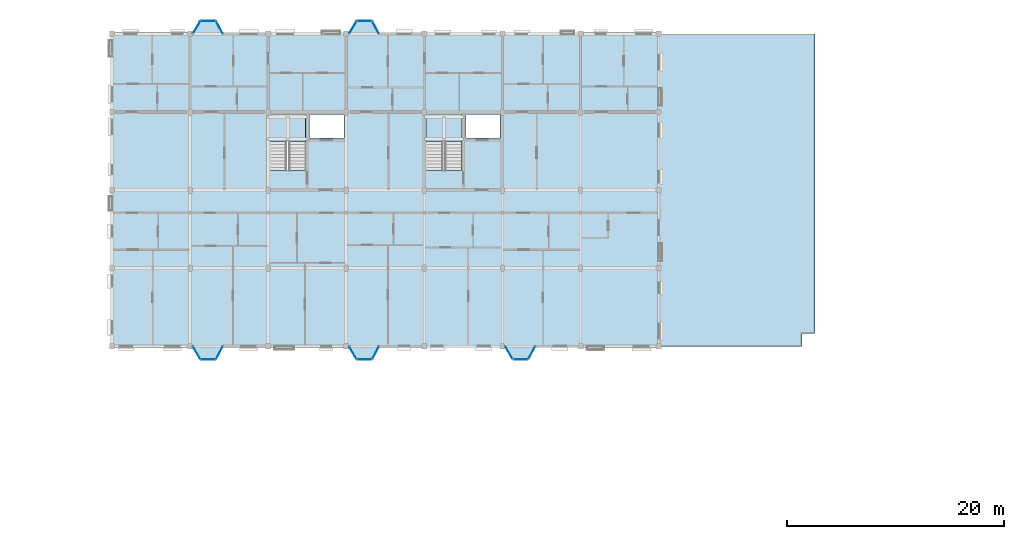
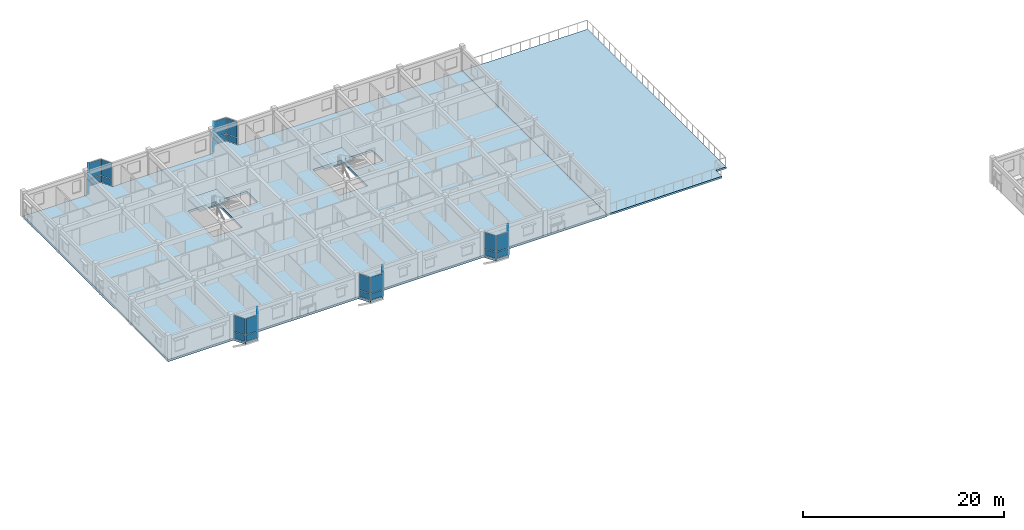
# One storey, part 38 of 64: 30 plates, 4 slabs, 17 elements without a shape of their own.
"""IFC4 building model written with IfcOpenShell, lengths in metres."""

from ifc_helpers import new_model, si_unit, direction, frame, origin, origin_2d, place, context, subcontext, project, spatial, polyline, rectangle, outline, extrude, material, layer, layer_set, type_object, element, aggregate, save


model = new_model("IFC4")

# Units and contexts
model_context = context("Model", 3, precision=1e-05, world=origin(), true_north=direction((0.0, 1.0)))
body_context = subcontext(model_context, "Body", "Model", "MODEL_VIEW")
ifc_project = project(units=[si_unit("LENGTHUNIT", "METRE"), si_unit("AREAUNIT", "SQUARE_METRE"), si_unit("VOLUMEUNIT", "CUBIC_METRE"), si_unit("PLANEANGLEUNIT", "RADIAN"), si_unit("MASSUNIT", "GRAM", prefix="KILO"), si_unit("THERMODYNAMICTEMPERATUREUNIT", "KELVIN"), si_unit("POWERUNIT", "WATT")], contexts=[model_context])

# Site, building, storey
site_placement = place(None, origin())
site = spatial("IfcSite", under=ifc_project, at=site_placement, CompositionType="ELEMENT")
building_placement = place(site_placement, origin())
building = spatial("IfcBuilding", under=site, at=building_placement, Name="Tavuni Mirador Residences", CompositionType="ELEMENT")
storey_placement = place(building_placement, frame((0.0, 0.0, 26.550048828125)))
storey = spatial("IfcBuildingStorey", under=building, at=storey_placement, Name="L08", CompositionType="ELEMENT", Elevation=26.550048828125)

# Curtain wall, plate
ifc_material_1 = material(Name="Anodised aluminium", Category="aluminium")
ifc_layer_1 = layer(ifc_material_1, 0.1650390625, Name="Anodised aluminium", Category="aluminium")
ifc_layer_set_1 = layer_set([ifc_layer_1], Name="Anodised aluminium")
curtain_wall_type_1 = type_object("IfcCurtainWallType", Name="CWT-MIR-A", PredefinedType="NOTDEFINED", material=ifc_layer_set_1)
curtain_wall_1_placement = place(storey_placement, origin())
curtain_wall_1 = element("IfcCurtainWall", 1, at=curtain_wall_1_placement, inside=storey, type_object=curtain_wall_type_1, Name="CW-MIR-C-S1-L08-M2", PredefinedType="NOTDEFINED")
ifc_material_2 = material(Name="Laminated solar-control glass", Category="glass")
ifc_layer_2 = layer(ifc_material_2, 0.02392578125, Name="Laminated solar-control glass", Category="glass")
ifc_layer_set_2 = layer_set([ifc_layer_2], Name="Laminated solar-control glass")
plate_type_1 = type_object("IfcPlateType", Name="CWP-GL24", PredefinedType="CURTAIN_PANEL", material=ifc_layer_set_2)
plate_1_placement = place(storey_placement, frame((20.699951171875, 143.39990234375, 0.8798828125), z_axis=(0.0, 0.0, 1.0), x_axis=(0.470588235296, 0.882352941175, 0.0)))
plate_1 = element("IfcPlate", 2, at=plate_1_placement, type_object=plate_type_1, Name="CW-01 panel 1.2", PredefinedType="CURTAIN_PANEL", context=body_context, shape_type="SweptSolid", body=[
    extrude(rectangle(XDim=1.239990234375, YDim=0.02392578125, at=origin_2d()), origin(), (0.0, 0.0, 1.0), 1.945068359375),
])

curtain_wall_2_placement = place(storey_placement, origin())
curtain_wall_2 = element("IfcCurtainWall", 3, at=curtain_wall_2_placement, inside=storey, type_object=curtain_wall_type_1, Name="CW-MIR-C-S3-L08-M1", PredefinedType="NOTDEFINED")
plate_2_placement = place(storey_placement, frame((47.405029296875, 143.39990234375, 0.8798828125), z_axis=(0.0, 0.0, 1.0), x_axis=(0.509212491254, -0.860640830284, 0.0)))
plate_2 = element("IfcPlate", 4, at=plate_2_placement, type_object=plate_type_1, Name="CW-01 panel 1.2", PredefinedType="CURTAIN_PANEL", context=body_context, shape_type="SweptSolid", body=[
    extrude(rectangle(XDim=1.2744140625, YDim=0.02392578125, at=origin_2d()), origin(), (0.0, 0.0, 1.0), 1.945068359375),
])

curtain_wall_3_placement = place(storey_placement, origin())
curtain_wall_3 = element("IfcCurtainWall", 5, at=curtain_wall_3_placement, inside=storey, type_object=curtain_wall_type_1, Name="CW-MIR-C-N2-L08-MF", PredefinedType="NOTDEFINED")
plate_3_placement = place(storey_placement, frame((34.070068359375, 174.0, 0.8798828125), z_axis=(0.0, 0.0, 1.0), x_axis=(-1.0, 0.0, 0.0)))
plate_3 = element("IfcPlate", 6, at=plate_3_placement, type_object=plate_type_1, Name="CW-01 panel 1.2", PredefinedType="CURTAIN_PANEL", context=body_context, shape_type="SweptSolid", body=[
    extrude(rectangle(XDim=1.300048828125, YDim=0.02392578125, at=origin_2d()), origin(), (0.0, 0.0, 1.0), 1.945068359375),
])

curtain_wall_4_placement = place(storey_placement, origin())
curtain_wall_4 = element("IfcCurtainWall", 7, at=curtain_wall_4_placement, inside=storey, type_object=curtain_wall_type_1, Name="CW-MIR-C-N1-L08-M2", PredefinedType="NOTDEFINED")
plate_4_placement = place(storey_placement, frame((18.60498046875, 173.39990234375, 0.8798828125), z_axis=(0.0, 0.0, 1.0), x_axis=(-0.509212491254, -0.860640830284, 0.0)))
plate_4 = element("IfcPlate", 8, at=plate_4_placement, type_object=plate_type_1, Name="CW-01 panel 1.2", PredefinedType="CURTAIN_PANEL", context=body_context, shape_type="SweptSolid", body=[
    extrude(rectangle(XDim=1.2744140625, YDim=0.02392578125, at=origin_2d()), origin(), (0.0, 0.0, 1.0), 1.945068359375),
])

ifc_layer_3 = layer(ifc_material_1, 0.14990234375, Name="Anodised aluminium", Category="aluminium")
ifc_layer_set_3 = layer_set([ifc_layer_3], Name="Anodised aluminium")
curtain_wall_type_2 = type_object("IfcCurtainWallType", Name="CWT-MIR-B", PredefinedType="NOTDEFINED", material=ifc_layer_set_3)
curtain_wall_5_placement = place(storey_placement, origin())
curtain_wall_5 = element("IfcCurtainWall", 9, at=curtain_wall_5_placement, inside=storey, type_object=curtain_wall_type_2, Name="CW-MIR-C-S2-L08-M1", PredefinedType="NOTDEFINED")
ifc_layer_4 = layer(ifc_material_2, 0.028076171875, Name="Laminated solar-control glass", Category="glass")
ifc_layer_set_4 = layer_set([ifc_layer_4], Name="Laminated solar-control glass")
plate_type_2 = type_object("IfcPlateType", Name="CWP-GL28", PredefinedType="CURTAIN_PANEL", material=ifc_layer_set_4)
plate_5_placement = place(storey_placement, frame((33.0048828125, 143.39990234375, 0.882568359375), z_axis=(0.0, 0.0, 1.0), x_axis=(0.509212491254, -0.860640830284, 0.0)))
plate_5 = element("IfcPlate", 10, at=plate_5_placement, type_object=plate_type_2, Name="CW-02 panel 1.2", PredefinedType="CURTAIN_PANEL", context=body_context, shape_type="SweptSolid", body=[
    extrude(rectangle(XDim=1.264404296875, YDim=0.028076171875, at=origin_2d()), origin(), (0.0, 0.0, 1.0), 1.9375),
])

curtain_wall_6_placement = place(storey_placement, origin())
curtain_wall_6 = element("IfcCurtainWall", 11, at=curtain_wall_6_placement, inside=storey, type_object=curtain_wall_type_2, Name="CW-MIR-C-S3-L08-MF", PredefinedType="NOTDEFINED")
plate_6_placement = place(storey_placement, frame((48.469970703125, 142.800048828125, 0.882568359375), z_axis=(0.0, 0.0, 1.0), x_axis=(1.0, 0.0, 0.0)))
plate_6 = element("IfcPlate", 12, at=plate_6_placement, type_object=plate_type_2, Name="CW-02 panel 1.2", PredefinedType="CURTAIN_PANEL", context=body_context, shape_type="SweptSolid", body=[
    extrude(rectangle(XDim=1.2900390625, YDim=0.028076171875, at=origin_2d()), origin(), (0.0, 0.0, 1.0), 1.9375),
])

curtain_wall_7_placement = place(storey_placement, origin())
curtain_wall_7 = element("IfcCurtainWall", 13, at=curtain_wall_7_placement, inside=storey, type_object=curtain_wall_type_2, Name="CW-MIR-C-N2-L08-M2", PredefinedType="NOTDEFINED")
plate_7_placement = place(storey_placement, frame((33.0048828125, 173.39990234375, 0.882568359375), z_axis=(0.0, 0.0, 1.0), x_axis=(-0.509212491254, -0.860640830284, 0.0)))
plate_7 = element("IfcPlate", 14, at=plate_7_placement, type_object=plate_type_2, Name="CW-02 panel 1.2", PredefinedType="CURTAIN_PANEL", context=body_context, shape_type="SweptSolid", body=[
    extrude(rectangle(XDim=1.264404296875, YDim=0.028076171875, at=origin_2d()), origin(), (0.0, 0.0, 1.0), 1.9375),
])

ifc_layer_5 = layer(ifc_material_1, 0.175048828125, Name="Anodised aluminium", Category="aluminium")
ifc_layer_set_5 = layer_set([ifc_layer_5], Name="Anodised aluminium")
curtain_wall_type_3 = type_object("IfcCurtainWallType", Name="CWT-MIR-C", PredefinedType="NOTDEFINED", material=ifc_layer_set_5)
curtain_wall_8_placement = place(storey_placement, origin())
curtain_wall_8 = element("IfcCurtainWall", 15, at=curtain_wall_8_placement, inside=storey, type_object=curtain_wall_type_3, Name="CW-MIR-C-S1-L08-M1", PredefinedType="NOTDEFINED")
ifc_layer_6 = layer(ifc_material_2, 0.031982421875, Name="Laminated solar-control glass", Category="glass")
ifc_layer_set_6 = layer_set([ifc_layer_6], Name="Laminated solar-control glass")
plate_type_3 = type_object("IfcPlateType", Name="CWP-GL32", PredefinedType="CURTAIN_PANEL", material=ifc_layer_set_6)
plate_8_placement = place(storey_placement, frame((18.60498046875, 143.39990234375, 0.8798828125), z_axis=(0.0, 0.0, 1.0), x_axis=(0.509212491254, -0.860640830284, 0.0)))
plate_8 = element("IfcPlate", 16, at=plate_8_placement, type_object=plate_type_3, Name="CW-03 panel 1.2", PredefinedType="CURTAIN_PANEL", context=body_context, shape_type="SweptSolid", body=[
    extrude(rectangle(XDim=1.2744140625, YDim=0.031982421875, at=origin_2d()), origin(), (0.0, 0.0, 1.0), 1.945068359375),
])

curtain_wall_9_placement = place(storey_placement, origin())
curtain_wall_9 = element("IfcCurtainWall", 17, at=curtain_wall_9_placement, inside=storey, type_object=curtain_wall_type_3, Name="CW-MIR-C-S2-L08-MF", PredefinedType="NOTDEFINED")
plate_9_placement = place(storey_placement, frame((34.070068359375, 142.800048828125, 0.8798828125), z_axis=(0.0, 0.0, 1.0), x_axis=(1.0, 0.0, 0.0)))
plate_9 = element("IfcPlate", 18, at=plate_9_placement, type_object=plate_type_3, Name="CW-03 panel 1.2", PredefinedType="CURTAIN_PANEL", context=body_context, shape_type="SweptSolid", body=[
    extrude(rectangle(XDim=1.300048828125, YDim=0.031982421875, at=origin_2d()), origin(), (0.0, 0.0, 1.0), 1.945068359375),
])

curtain_wall_10_placement = place(storey_placement, origin())
curtain_wall_10 = element("IfcCurtainWall", 19, at=curtain_wall_10_placement, inside=storey, type_object=curtain_wall_type_3, Name="CW-MIR-C-S3-L08-M2", PredefinedType="NOTDEFINED")
plate_10_placement = place(storey_placement, frame((49.5, 143.39990234375, 0.8798828125), z_axis=(0.0, 0.0, 1.0), x_axis=(0.470588235296, 0.882352941175, 0.0)))
plate_10 = element("IfcPlate", 20, at=plate_10_placement, type_object=plate_type_3, Name="CW-03 panel 1.2", PredefinedType="CURTAIN_PANEL", context=body_context, shape_type="SweptSolid", body=[
    extrude(rectangle(XDim=1.239990234375, YDim=0.031982421875, at=origin_2d()), origin(), (0.0, 0.0, 1.0), 1.945068359375),
])

curtain_wall_11_placement = place(storey_placement, origin())
curtain_wall_11 = element("IfcCurtainWall", 21, at=curtain_wall_11_placement, inside=storey, type_object=curtain_wall_type_3, Name="CW-MIR-C-N1-L08-M1", PredefinedType="NOTDEFINED")
plate_11_placement = place(storey_placement, frame((20.699951171875, 173.39990234375, 0.8798828125), z_axis=(0.0, 0.0, 1.0), x_axis=(-0.470588235296, 0.882352941175, 0.0)))
plate_11 = element("IfcPlate", 22, at=plate_11_placement, type_object=plate_type_3, Name="CW-03 panel 1.2", PredefinedType="CURTAIN_PANEL", context=body_context, shape_type="SweptSolid", body=[
    extrude(rectangle(XDim=1.239990234375, YDim=0.031982421875, at=origin_2d()), origin(), (0.0, 0.0, 1.0), 1.945068359375),
])

ifc_layer_7 = layer(ifc_material_1, 0.159912109375, Name="Anodised aluminium", Category="aluminium")
ifc_layer_set_7 = layer_set([ifc_layer_7], Name="Anodised aluminium")
curtain_wall_type_4 = type_object("IfcCurtainWallType", Name="CWT-MIR-D", PredefinedType="NOTDEFINED", material=ifc_layer_set_7)
curtain_wall_12_placement = place(storey_placement, origin())
curtain_wall_12 = element("IfcCurtainWall", 23, at=curtain_wall_12_placement, inside=storey, type_object=curtain_wall_type_4, Name="CW-MIR-C-S1-L08-MF", PredefinedType="NOTDEFINED")
ifc_layer_8 = layer(ifc_material_2, 0.035888671875, Name="Laminated solar-control glass", Category="glass")
ifc_layer_set_8 = layer_set([ifc_layer_8], Name="Laminated solar-control glass")
plate_type_4 = type_object("IfcPlateType", Name="CWP-GL36", PredefinedType="CURTAIN_PANEL", material=ifc_layer_set_8)
plate_12_placement = place(storey_placement, frame((19.669921875, 142.800048828125, 0.882568359375), z_axis=(0.0, 0.0, 1.0), x_axis=(1.0, 0.0, 0.0)))
plate_12 = element("IfcPlate", 24, at=plate_12_placement, type_object=plate_type_4, Name="CW-04 panel 1.2", PredefinedType="CURTAIN_PANEL", context=body_context, shape_type="SweptSolid", body=[
    extrude(rectangle(XDim=1.2900390625, YDim=0.035888671875, at=origin_2d()), origin(), (0.0, 0.0, 1.0), 1.9375),
])

curtain_wall_13_placement = place(storey_placement, origin())
curtain_wall_13 = element("IfcCurtainWall", 25, at=curtain_wall_13_placement, inside=storey, type_object=curtain_wall_type_4, Name="CW-MIR-C-S2-L08-M2", PredefinedType="NOTDEFINED")
plate_13_placement = place(storey_placement, frame((35.10009765625, 143.39990234375, 0.882568359375), z_axis=(0.0, 0.0, 1.0), x_axis=(0.470588235296, 0.882352941175, 0.0)))
plate_13 = element("IfcPlate", 26, at=plate_13_placement, type_object=plate_type_4, Name="CW-04 panel 1.2", PredefinedType="CURTAIN_PANEL", context=body_context, shape_type="SweptSolid", body=[
    extrude(rectangle(XDim=1.22998046875, YDim=0.035888671875, at=origin_2d()), origin(), (0.0, 0.0, 1.0), 1.9375),
])

curtain_wall_14_placement = place(storey_placement, origin())
curtain_wall_14 = element("IfcCurtainWall", 27, at=curtain_wall_14_placement, inside=storey, type_object=curtain_wall_type_4, Name="CW-MIR-C-N2-L08-M1", PredefinedType="NOTDEFINED")
plate_14_placement = place(storey_placement, frame((35.10009765625, 173.39990234375, 0.882568359375), z_axis=(0.0, 0.0, 1.0), x_axis=(-0.470588235296, 0.882352941175, 0.0)))
plate_14 = element("IfcPlate", 28, at=plate_14_placement, type_object=plate_type_4, Name="CW-04 panel 1.2", PredefinedType="CURTAIN_PANEL", context=body_context, shape_type="SweptSolid", body=[
    extrude(rectangle(XDim=1.22998046875, YDim=0.035888671875, at=origin_2d()), origin(), (0.0, 0.0, 1.0), 1.9375),
])

curtain_wall_15_placement = place(storey_placement, origin())
curtain_wall_15 = element("IfcCurtainWall", 29, at=curtain_wall_15_placement, inside=storey, type_object=curtain_wall_type_4, Name="CW-MIR-C-N1-L08-MF", PredefinedType="NOTDEFINED")
plate_15_placement = place(storey_placement, frame((19.669921875, 174.0, 0.882568359375), z_axis=(0.0, 0.0, 1.0), x_axis=(-1.0, 0.0, 0.0)))
plate_15 = element("IfcPlate", 30, at=plate_15_placement, type_object=plate_type_4, Name="CW-04 panel 1.2", PredefinedType="CURTAIN_PANEL", context=body_context, shape_type="SweptSolid", body=[
    extrude(rectangle(XDim=1.2900390625, YDim=0.035888671875, at=origin_2d()), origin(), (0.0, 0.0, 1.0), 1.9375),
])

# Plate
ifc_material_3 = material(Name="Ceramic trencadis mosaic panel", Category="masonry")
ifc_layer_9 = layer(ifc_material_3, 0.0419921875, Name="Ceramic trencadis mosaic panel", Category="masonry")
ifc_layer_set_9 = layer_set([ifc_layer_9], Name="Ceramic trencadis mosaic panel")
plate_type_5 = type_object("IfcPlateType", Name="CWP-SP42", PredefinedType="CURTAIN_PANEL", material=ifc_layer_set_9)
plate_16_placement = place(storey_placement, frame((18.60498046875, 143.39990234375, 0.06005859375), z_axis=(0.0, 0.0, 1.0), x_axis=(0.509212491254, -0.860640830284, 0.0)))
plate_16 = element("IfcPlate", 31, at=plate_16_placement, type_object=plate_type_5, Name="CW-03 panel 1.1", PredefinedType="CURTAIN_PANEL", context=body_context, shape_type="SweptSolid", body=[
    extrude(rectangle(XDim=1.2744140625, YDim=0.0419921875, at=origin_2d()), origin(), (0.0, 0.0, 1.0), 0.760009765625),
])

aggregate(curtain_wall_8, [plate_16, plate_8])

plate_17_placement = place(storey_placement, frame((20.699951171875, 143.39990234375, 0.06005859375), z_axis=(0.0, 0.0, 1.0), x_axis=(0.470588235296, 0.882352941175, 0.0)))
plate_17 = element("IfcPlate", 32, at=plate_17_placement, type_object=plate_type_5, Name="CW-01 panel 1.1", PredefinedType="CURTAIN_PANEL", context=body_context, shape_type="SweptSolid", body=[
    extrude(rectangle(XDim=1.239990234375, YDim=0.0419921875, at=origin_2d()), origin(), (0.0, 0.0, 1.0), 0.760009765625),
])

aggregate(curtain_wall_1, [plate_17, plate_1])

plate_18_placement = place(storey_placement, frame((34.070068359375, 142.800048828125, 0.06005859375), z_axis=(0.0, 0.0, 1.0), x_axis=(1.0, 0.0, 0.0)))
plate_18 = element("IfcPlate", 33, at=plate_18_placement, type_object=plate_type_5, Name="CW-03 panel 1.1", PredefinedType="CURTAIN_PANEL", context=body_context, shape_type="SweptSolid", body=[
    extrude(rectangle(XDim=1.300048828125, YDim=0.0419921875, at=origin_2d()), origin(), (0.0, 0.0, 1.0), 0.760009765625),
])

aggregate(curtain_wall_9, [plate_18, plate_9])

plate_19_placement = place(storey_placement, frame((47.405029296875, 143.39990234375, 0.06005859375), z_axis=(0.0, 0.0, 1.0), x_axis=(0.509212491254, -0.860640830284, 0.0)))
plate_19 = element("IfcPlate", 34, at=plate_19_placement, type_object=plate_type_5, Name="CW-01 panel 1.1", PredefinedType="CURTAIN_PANEL", context=body_context, shape_type="SweptSolid", body=[
    extrude(rectangle(XDim=1.2744140625, YDim=0.0419921875, at=origin_2d()), origin(), (0.0, 0.0, 1.0), 0.760009765625),
])

aggregate(curtain_wall_2, [plate_19, plate_2])

plate_20_placement = place(storey_placement, frame((49.5, 143.39990234375, 0.06005859375), z_axis=(0.0, 0.0, 1.0), x_axis=(0.470588235296, 0.882352941175, 0.0)))
plate_20 = element("IfcPlate", 35, at=plate_20_placement, type_object=plate_type_5, Name="CW-03 panel 1.1", PredefinedType="CURTAIN_PANEL", context=body_context, shape_type="SweptSolid", body=[
    extrude(rectangle(XDim=1.239990234375, YDim=0.0419921875, at=origin_2d()), origin(), (0.0, 0.0, 1.0), 0.760009765625),
])

aggregate(curtain_wall_10, [plate_20, plate_10])

plate_21_placement = place(storey_placement, frame((34.070068359375, 174.0, 0.06005859375), z_axis=(0.0, 0.0, 1.0), x_axis=(-1.0, 0.0, 0.0)))
plate_21 = element("IfcPlate", 36, at=plate_21_placement, type_object=plate_type_5, Name="CW-01 panel 1.1", PredefinedType="CURTAIN_PANEL", context=body_context, shape_type="SweptSolid", body=[
    extrude(rectangle(XDim=1.300048828125, YDim=0.0419921875, at=origin_2d()), origin(), (0.0, 0.0, 1.0), 0.760009765625),
])

aggregate(curtain_wall_3, [plate_21, plate_3])

plate_22_placement = place(storey_placement, frame((20.699951171875, 173.39990234375, 0.06005859375), z_axis=(0.0, 0.0, 1.0), x_axis=(-0.470588235296, 0.882352941175, 0.0)))
plate_22 = element("IfcPlate", 37, at=plate_22_placement, type_object=plate_type_5, Name="CW-03 panel 1.1", PredefinedType="CURTAIN_PANEL", context=body_context, shape_type="SweptSolid", body=[
    extrude(rectangle(XDim=1.239990234375, YDim=0.0419921875, at=origin_2d()), origin(), (0.0, 0.0, 1.0), 0.760009765625),
])

aggregate(curtain_wall_11, [plate_22, plate_11])

plate_23_placement = place(storey_placement, frame((18.60498046875, 173.39990234375, 0.06005859375), z_axis=(0.0, 0.0, 1.0), x_axis=(-0.509212491254, -0.860640830284, 0.0)))
plate_23 = element("IfcPlate", 38, at=plate_23_placement, type_object=plate_type_5, Name="CW-01 panel 1.1", PredefinedType="CURTAIN_PANEL", context=body_context, shape_type="SweptSolid", body=[
    extrude(rectangle(XDim=1.2744140625, YDim=0.0419921875, at=origin_2d()), origin(), (0.0, 0.0, 1.0), 0.760009765625),
])

aggregate(curtain_wall_4, [plate_23, plate_4])

ifc_layer_10 = layer(ifc_material_3, 0.048095703125, Name="Ceramic trencadis mosaic panel", Category="masonry")
ifc_layer_set_10 = layer_set([ifc_layer_10], Name="Ceramic trencadis mosaic panel")
plate_type_6 = type_object("IfcPlateType", Name="CWP-SP48", PredefinedType="CURTAIN_PANEL", material=ifc_layer_set_10)
plate_24_placement = place(storey_placement, frame((19.669921875, 142.800048828125, 0.06494140625), z_axis=(0.0, 0.0, 1.0), x_axis=(1.0, 0.0, 0.0)))
plate_24 = element("IfcPlate", 39, at=plate_24_placement, type_object=plate_type_6, Name="CW-04 panel 1.1", PredefinedType="CURTAIN_PANEL", context=body_context, shape_type="SweptSolid", body=[
    extrude(rectangle(XDim=1.2900390625, YDim=0.048095703125, at=origin_2d()), origin(), (0.0, 0.0, 1.0), 0.75244140625),
])

aggregate(curtain_wall_12, [plate_24, plate_12])

plate_25_placement = place(storey_placement, frame((33.0048828125, 143.39990234375, 0.06494140625), z_axis=(0.0, 0.0, 1.0), x_axis=(0.509212491254, -0.860640830284, 0.0)))
plate_25 = element("IfcPlate", 40, at=plate_25_placement, type_object=plate_type_6, Name="CW-02 panel 1.1", PredefinedType="CURTAIN_PANEL", context=body_context, shape_type="SweptSolid", body=[
    extrude(rectangle(XDim=1.264404296875, YDim=0.048095703125, at=origin_2d()), origin(), (0.0, 0.0, 1.0), 0.75244140625),
])

aggregate(curtain_wall_5, [plate_25, plate_5])

plate_26_placement = place(storey_placement, frame((35.10009765625, 143.39990234375, 0.06494140625), z_axis=(0.0, 0.0, 1.0), x_axis=(0.470588235296, 0.882352941175, 0.0)))
plate_26 = element("IfcPlate", 41, at=plate_26_placement, type_object=plate_type_6, Name="CW-04 panel 1.1", PredefinedType="CURTAIN_PANEL", context=body_context, shape_type="SweptSolid", body=[
    extrude(rectangle(XDim=1.22998046875, YDim=0.048095703125, at=origin_2d()), origin(), (0.0, 0.0, 1.0), 0.75244140625),
])

aggregate(curtain_wall_13, [plate_26, plate_13])

plate_27_placement = place(storey_placement, frame((48.469970703125, 142.800048828125, 0.06494140625), z_axis=(0.0, 0.0, 1.0), x_axis=(1.0, 0.0, 0.0)))
plate_27 = element("IfcPlate", 42, at=plate_27_placement, type_object=plate_type_6, Name="CW-02 panel 1.1", PredefinedType="CURTAIN_PANEL", context=body_context, shape_type="SweptSolid", body=[
    extrude(rectangle(XDim=1.2900390625, YDim=0.048095703125, at=origin_2d()), origin(), (0.0, 0.0, 1.0), 0.75244140625),
])

aggregate(curtain_wall_6, [plate_27, plate_6])

plate_28_placement = place(storey_placement, frame((35.10009765625, 173.39990234375, 0.06494140625), z_axis=(0.0, 0.0, 1.0), x_axis=(-0.470588235296, 0.882352941175, 0.0)))
plate_28 = element("IfcPlate", 43, at=plate_28_placement, type_object=plate_type_6, Name="CW-04 panel 1.1", PredefinedType="CURTAIN_PANEL", context=body_context, shape_type="SweptSolid", body=[
    extrude(rectangle(XDim=1.22998046875, YDim=0.048095703125, at=origin_2d()), origin(), (0.0, 0.0, 1.0), 0.75244140625),
])

aggregate(curtain_wall_14, [plate_28, plate_14])

plate_29_placement = place(storey_placement, frame((33.0048828125, 173.39990234375, 0.06494140625), z_axis=(0.0, 0.0, 1.0), x_axis=(-0.509212491254, -0.860640830284, 0.0)))
plate_29 = element("IfcPlate", 44, at=plate_29_placement, type_object=plate_type_6, Name="CW-02 panel 1.1", PredefinedType="CURTAIN_PANEL", context=body_context, shape_type="SweptSolid", body=[
    extrude(rectangle(XDim=1.264404296875, YDim=0.048095703125, at=origin_2d()), origin(), (0.0, 0.0, 1.0), 0.75244140625),
])

aggregate(curtain_wall_7, [plate_29, plate_7])

plate_30_placement = place(storey_placement, frame((19.669921875, 174.0, 0.06494140625), z_axis=(0.0, 0.0, 1.0), x_axis=(-1.0, 0.0, 0.0)))
plate_30 = element("IfcPlate", 45, at=plate_30_placement, type_object=plate_type_6, Name="CW-04 panel 1.1", PredefinedType="CURTAIN_PANEL", context=body_context, shape_type="SweptSolid", body=[
    extrude(rectangle(XDim=1.2900390625, YDim=0.048095703125, at=origin_2d()), origin(), (0.0, 0.0, 1.0), 0.75244140625),
])

aggregate(curtain_wall_15, [plate_30, plate_15])

# Slab
ifc_material_4 = material(Name="Prestressed concrete C45/55", Category="concrete")
ifc_layer_11 = layer(ifc_material_4, 0.264892578125, Name="Prestressed concrete C45/55", Category="concrete")
ifc_layer_set_11 = layer_set([ifc_layer_11], Name="Prestressed concrete C45/55")
slab_type_1 = type_object("IfcSlabType", Name="SLT-FLR265", PredefinedType="FLOOR", material=ifc_layer_set_11)
slab_1_placement = place(storey_placement, frame((0.0, 0.0, -0.26513671875)))
element("IfcSlab", 46, at=slab_1_placement, inside=storey, type_object=slab_type_1, Name="SLB-BLK-C-L08", PredefinedType="FLOOR", context=body_context, shape_type="SweptSolid", body=[
    extrude(outline(polyline([(10.800048828125, 144.0), (18.25, 144.0), (18.9599609375, 142.800048828125), (20.3798828125, 142.800048828125), (21.02001953125, 144.0), (32.64990234375, 144.0), (33.360107421875, 142.800048828125), (34.780029296875, 142.800048828125), (35.419921875, 144.0), (47.050048828125, 144.0), (47.760009765625, 142.800048828125), (49.179931640625, 142.800048828125), (49.820068359375, 144.0), (61.199951171875, 144.0), (61.199951171875, 172.800048828125), (35.419921875, 172.800048828125), (34.780029296875, 174.0), (33.360107421875, 174.0), (32.64990234375, 172.800048828125), (21.02001953125, 172.800048828125), (20.3798828125, 174.0), (18.9599609375, 174.0), (18.25, 172.800048828125), (10.800048828125, 172.800048828125), (10.800048828125, 144.0)]), holes=[polyline([(25.360107421875, 160.2080078125), (28.639892578125, 160.2080078125), (28.639892578125, 165.360107421875), (25.360107421875, 165.360107421875), (25.360107421875, 160.2080078125)]), polyline([(29.02001953125, 163.219970703125), (32.179931640625, 163.219970703125), (32.179931640625, 165.3798828125), (29.02001953125, 165.3798828125), (29.02001953125, 163.219970703125)]), polyline([(39.760009765625, 160.2080078125), (43.0400390625, 160.2080078125), (43.0400390625, 165.360107421875), (39.760009765625, 165.360107421875), (39.760009765625, 160.2080078125)]), polyline([(43.419921875, 163.219970703125), (46.580078125, 163.219970703125), (46.580078125, 165.3798828125), (43.419921875, 165.3798828125), (43.419921875, 163.219970703125)])]), origin(), (0.0, 0.0, 1.0), 0.26513671875),
])

# Stair, slab
ifc_material_5 = material(Name="Precast concrete C40/50", Category="concrete")
stair_type = type_object("IfcStairType", Name="STT-TYP", PredefinedType="HALF_TURN_STAIR", material=ifc_material_5)
stair_1_placement = place(storey_placement, origin())
stair_1 = element("IfcStair", 47, at=stair_1_placement, inside=storey, type_object=stair_type, Name="Protected exit stair ST5 (L08)", PredefinedType="HALF_TURN_STAIR")
ifc_layer_12 = layer(ifc_material_5, 0.179931640625, Name="Precast concrete C40/50", Category="concrete")
ifc_layer_set_12 = layer_set([ifc_layer_12], Name="Precast concrete C40/50")
slab_type_2 = type_object("IfcSlabType", Name="SLT-LND180", PredefinedType="LANDING", material=ifc_layer_set_12)
slab_2_placement = place(storey_placement, frame((0.0, 0.0, 1.39501953125)))
slab_2 = element("IfcSlab", 48, at=slab_2_placement, type_object=slab_type_2, Name="ST5 landing 1", PredefinedType="LANDING", context=body_context, shape_type="SweptSolid", body=[
    extrude(outline(polyline([(25.340087890625, 162.89208984375), (28.659912109375, 162.89208984375), (28.659912109375, 165.300048828125), (25.340087890625, 165.300048828125), (25.340087890625, 162.89208984375)])), origin(), (0.0, 0.0, 1.0), 0.179931640625),
])
aggregate(stair_1, [slab_2])

stair_2_placement = place(storey_placement, origin())
stair_2 = element("IfcStair", 49, at=stair_2_placement, inside=storey, type_object=stair_type, Name="Protected exit stair ST6 (L08)", PredefinedType="HALF_TURN_STAIR")
slab_3_placement = place(storey_placement, frame((0.0, 0.0, 1.39501953125)))
slab_3 = element("IfcSlab", 50, at=slab_3_placement, type_object=slab_type_2, Name="ST6 landing 1", PredefinedType="LANDING", context=body_context, shape_type="SweptSolid", body=[
    extrude(outline(polyline([(39.739990234375, 162.89208984375), (43.06005859375, 162.89208984375), (43.06005859375, 165.300048828125), (39.739990234375, 165.300048828125), (39.739990234375, 162.89208984375)])), origin(), (0.0, 0.0, 1.0), 0.179931640625),
])
aggregate(stair_2, [slab_3])

# Slab
ifc_layer_13 = layer(ifc_material_4, 0.219970703125, Name="Prestressed concrete C45/55", Category="concrete")
ifc_layer_set_13 = layer_set([ifc_layer_13], Name="Prestressed concrete C45/55")
slab_type_3 = type_object("IfcSlabType", Name="SLT-TER220", PredefinedType="FLOOR", material=ifc_layer_set_13)
slab_4_placement = place(storey_placement, frame((0.0, 0.0, -0.219970703125)))
element("IfcSlab", 51, at=slab_4_placement, inside=storey, type_object=slab_type_3, Name="Roof terrace TER-C-L08", PredefinedType="FLOOR", context=body_context, shape_type="SweptSolid", body=[
    extrude(outline(polyline([(61.199951171875, 144.0), (74.39990234375, 144.0), (74.39990234375, 145.199951171875), (75.60009765625, 145.199951171875), (75.60009765625, 172.800048828125), (61.199951171875, 172.800048828125), (61.199951171875, 144.0)])), origin(), (0.0, 0.0, 1.0), 0.219970703125),
])

save(model, "model.ifc")
